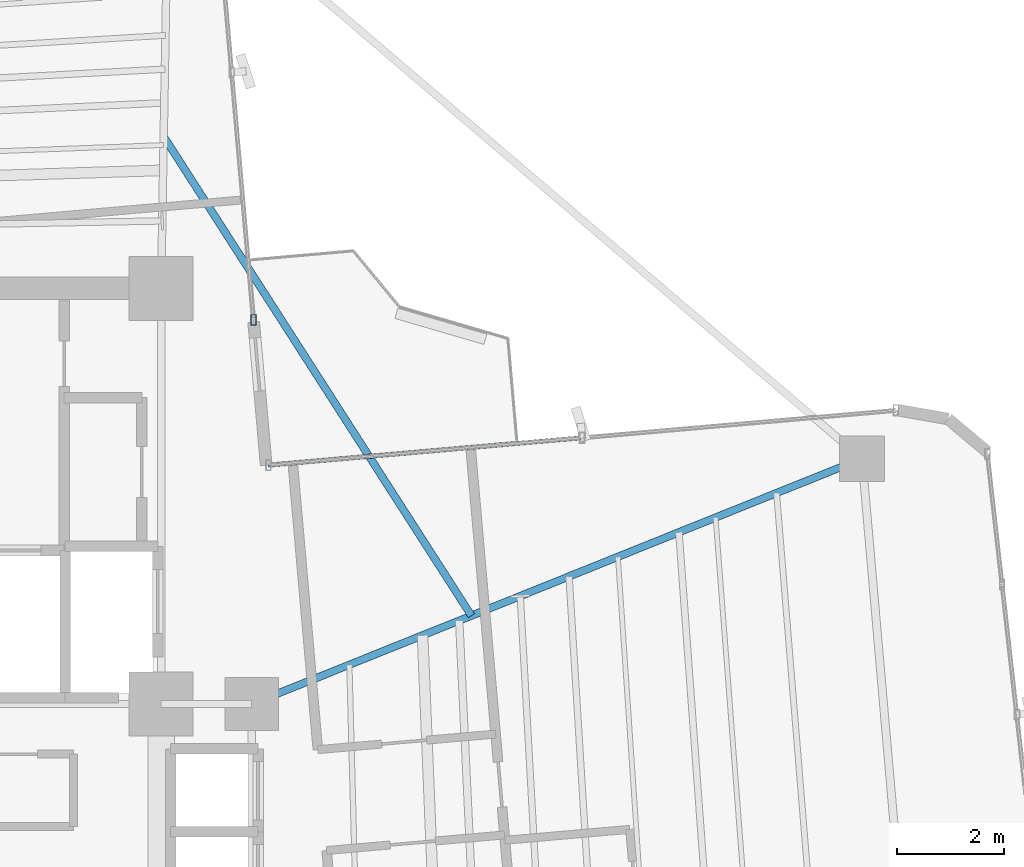
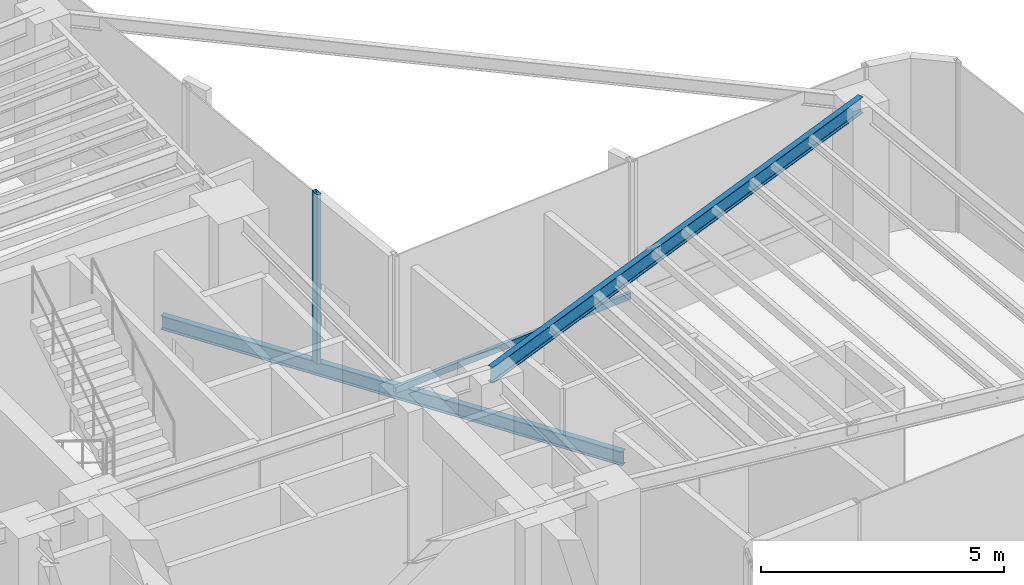
# One storey, part 7 of 19: 2 beams, 2 members, 2 elements without a shape of their own.
"""IFC4 building model written with IfcOpenShell, lengths in metres."""

from ifc_helpers import new_model, si_unit, direction, frame, origin, origin_2d, place, context, subcontext, project, spatial, hollow_rectangle, i_section, extrude, source, transform, mapped, material, material_profile, profile_set, type_object, element, aggregate, save


model = new_model("IFC4")

# Units and contexts
model_context = context("Model", 3, precision=1e-05, world=origin(), true_north=direction((0.0, 1.0)))
body_context = subcontext(model_context, "Body", "Model", "MODEL_VIEW")
ifc_project = project(units=[si_unit("LENGTHUNIT", "METRE"), si_unit("AREAUNIT", "SQUARE_METRE"), si_unit("VOLUMEUNIT", "CUBIC_METRE"), si_unit("PLANEANGLEUNIT", "RADIAN"), si_unit("MASSUNIT", "GRAM", prefix="KILO")], contexts=[model_context])

# Site, building, storey
site_placement = place(None, origin())
site = spatial("IfcSite", under=ifc_project, at=site_placement, CompositionType="ELEMENT")
building_placement = place(site_placement, origin())
building = spatial("IfcBuilding", under=site, at=building_placement, Name="Sahyath Konkavel Grand Hotel", CompositionType="ELEMENT")
storey_placement = place(building_placement, frame((0.0, 0.0, 170.699951171875)))
storey = spatial("IfcBuildingStorey", under=building, at=storey_placement, Name="L47", CompositionType="ELEMENT", Elevation=170.699951171875)

# Beam
ifc_material_1 = material(Name="Steel E350", Category="steel")
ifc_material_profile_1 = material_profile(ifc_material_1, i_section(OverallWidth=0.139892578125, OverallDepth=0.39990234375, WebThickness=0.0087890625, FlangeThickness=0.01611328125, FilletRadius=0.013916015625, at=origin_2d()), Name="ISMB 400")
ifc_profile_set_1 = profile_set([ifc_material_profile_1], Name="Steel E350")
beam_type_1 = type_object("IfcBeamType", Name="BM-ISMB400", PredefinedType="BEAM", material=ifc_profile_set_1)
shared_shape_1 = source(origin(), body_context, "Body", "SweptSolid", [
    extrude(i_section(OverallWidth=0.139892578125, OverallDepth=0.39990234375, WebThickness=0.0087890625, FlangeThickness=0.01611328125, FilletRadius=0.013916015625, at=origin_2d()), origin(), (0.0, 0.0, 1.0), 12.344970703125),
])
beam_1_placement = place(storey_placement, frame((5.5, 2.39990234375, 4.06005859375), z_axis=(0.927837014101, 0.372985891507, 0.0), x_axis=(-0.372985891507, 0.927837014101, 0.0)))
element("IfcBeam", 1, at=beam_1_placement, inside=storey, type_object=beam_type_1, Name="L47 Cruciform Radial Girder EB", PredefinedType="BEAM", context=body_context, shape_type="MappedRepresentation", body=[
    mapped(shared_shape_1, transform((0.0, 0.0, 0.0), scale=1.0)),
])

# Curtain wall, member
ifc_material_2 = material(Name="Anodised Bronze Aluminium & Low-E Glazing", Category="aluminium")
curtain_wall_type = type_object("IfcCurtainWallType", Name="CW-SKYLOBBY", PredefinedType="NOTDEFINED", material=ifc_material_2)
curtain_wall_1_placement = place(storey_placement, origin())
curtain_wall_1 = element("IfcCurtainWall", 2, at=curtain_wall_1_placement, inside=storey, type_object=curtain_wall_type, Name="L47 Unitised Curtain Wall F8", PredefinedType="NOTDEFINED")
ifc_material_3 = material(Name="Anodised Bronze Aluminium", Category="aluminium")
ifc_material_profile_2 = material_profile(ifc_material_3, hollow_rectangle(XDim=0.10009765625, YDim=0.199951171875, WallThickness=0.008056640625, at=origin_2d()), Name="RHS 200x100x8")
ifc_profile_set_2 = profile_set([ifc_material_profile_2], Name="Anodised Bronze Aluminium")
member_type_1 = type_object("IfcMemberType", Name="CW-MUL-200", PredefinedType="MULLION", material=ifc_profile_set_2)
shared_shape_2 = source(origin(), body_context, "Body", "SweptSolid", [
    extrude(hollow_rectangle(XDim=0.10009765625, YDim=0.199951171875, WallThickness=0.008056640625, at=origin_2d()), origin(), (0.0, 0.0, 1.0), 4.260009765625),
])
member_1_placement = place(storey_placement, frame((5.53369140625, 9.60888671875, 0.0), z_axis=(0.0, 0.0, 1.0), x_axis=(1.0, 0.0, 0.0)))
member_1 = element("IfcMember", 3, at=member_1_placement, type_object=member_type_1, Name="L47 Curtain Wall Mullion F8-0", PredefinedType="MULLION", context=body_context, shape_type="MappedRepresentation", body=[
    mapped(shared_shape_2, transform((0.0, 0.0, 0.0), scale=1.0)),
])
aggregate(curtain_wall_1, [member_1])

curtain_wall_2_placement = place(storey_placement, origin())
curtain_wall_2 = element("IfcCurtainWall", 4, at=curtain_wall_2_placement, inside=storey, type_object=curtain_wall_type, Name="L47 Unitised Curtain Wall F7", PredefinedType="NOTDEFINED")
ifc_material_profile_3 = material_profile(ifc_material_3, hollow_rectangle(XDim=0.080078125, YDim=0.159912109375, WallThickness=0.006103515625, at=origin_2d()), Name="RHS 160x80x6")
ifc_profile_set_3 = profile_set([ifc_material_profile_3], Name="Anodised Bronze Aluminium")
member_type_2 = type_object("IfcMemberType", Name="CW-TRN-160", PredefinedType="USERDEFINED", material=ifc_profile_set_3)
shared_shape_3 = source(origin(), body_context, "Body", "SweptSolid", [
    extrude(hollow_rectangle(XDim=0.080078125, YDim=0.159912109375, WallThickness=0.006103515625, at=origin_2d()), origin(), (0.0, 0.0, 1.0), 5.909912109375),
])
member_2_placement = place(storey_placement, frame((11.69970703125, 7.39794921875, 0.85009765625), z_axis=(-0.996193941691, -0.087164388014, 0.0), x_axis=(0.087164388014, -0.996193941691, 0.0)))
member_2 = element("IfcMember", 5, at=member_2_placement, type_object=member_type_2, Name="L47 Curtain Wall Transom F7-1-spandrel", ObjectType="TRANSOM", PredefinedType="USERDEFINED", context=body_context, shape_type="MappedRepresentation", body=[
    mapped(shared_shape_3, transform((0.0, 0.0, 0.0), scale=1.0)),
])
aggregate(curtain_wall_2, [member_2])

# Beam
ifc_material_profile_4 = material_profile(ifc_material_1, i_section(OverallWidth=0.139892578125, OverallDepth=0.35009765625, WebThickness=0.008056640625, FlangeThickness=0.01416015625, FilletRadius=0.013916015625, at=origin_2d()), Name="ISMB 350")
ifc_profile_set_4 = profile_set([ifc_material_profile_4], Name="Steel E350")
beam_type_2 = type_object("IfcBeamType", Name="BM-BALC-CANT", PredefinedType="BEAM", material=ifc_profile_set_4)
shared_shape_4 = source(origin(), body_context, "Body", "SweptSolid", [
    extrude(i_section(OverallWidth=0.139892578125, OverallDepth=0.35009765625, WebThickness=0.008056640625, FlangeThickness=0.01416015625, FilletRadius=0.013916015625, at=origin_2d()), origin(), (0.0, 0.0, 1.0), 10.685302734375),
])
beam_2_placement = place(storey_placement, frame((9.62353515625, 4.0576171875, -0.474853515625), z_axis=(-0.540404181048, 0.841405562797, 0.0), x_axis=(-0.841405562797, -0.540404181048, 0.0)))
element("IfcBeam", 6, at=beam_2_placement, inside=storey, type_object=beam_type_2, Name="L47 Balcony Cantilever Support Beam NE", PredefinedType="BEAM", context=body_context, shape_type="MappedRepresentation", body=[
    mapped(shared_shape_4, transform((0.0, 0.0, 0.0), scale=1.0)),
])

save(model, "model.ifc")
